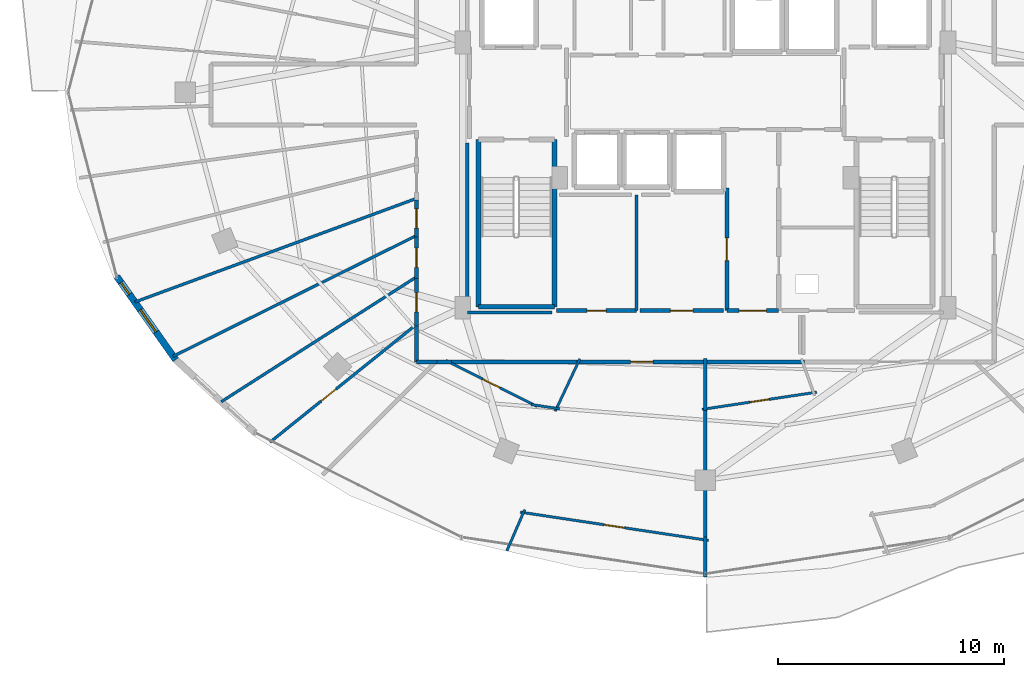
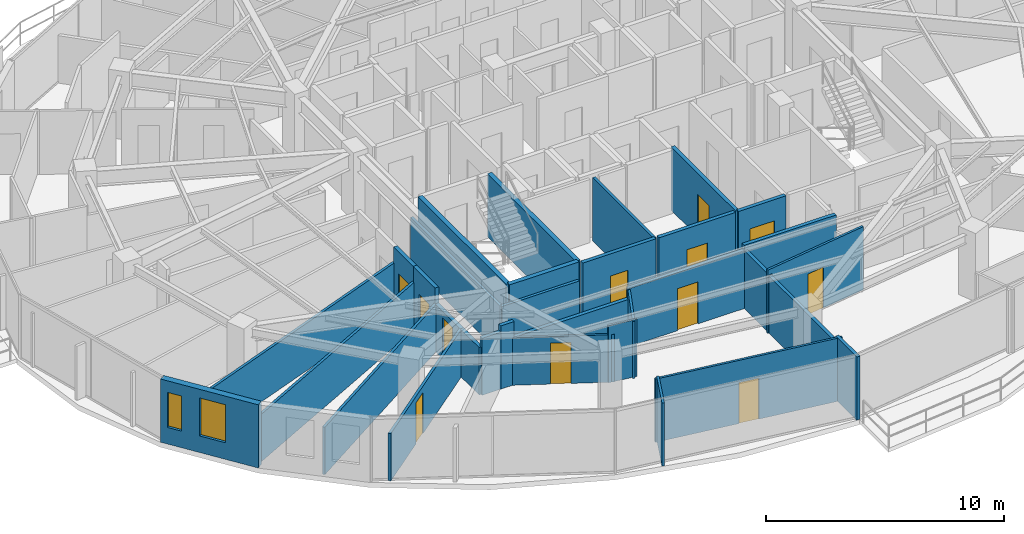
# One storey, part 24 of 33: 33 walls, 12 doors, 2 windows, 14 openings.
"""IFC4 building model written with IfcOpenShell, lengths in metres."""

from ifc_helpers import new_model, si_unit, direction, frame, frame_2d, origin, place, context, subcontext, project, spatial, rectangle, extrude, material, layer, layer_set, type_object, element, fill, save


model = new_model("IFC4")

# Units and contexts
model_context = context("Model", 3, precision=1e-05, world=origin(), true_north=direction((0.0, 1.0)))
body_context = subcontext(model_context, "Body", "Model", "MODEL_VIEW")
ifc_project = project(units=[si_unit("LENGTHUNIT", "METRE"), si_unit("AREAUNIT", "SQUARE_METRE"), si_unit("VOLUMEUNIT", "CUBIC_METRE"), si_unit("PLANEANGLEUNIT", "RADIAN"), si_unit("MASSUNIT", "GRAM", prefix="KILO")], contexts=[model_context])

# Site, building, storey
site_placement = place(None, origin())
site = spatial("IfcSite", under=ifc_project, at=site_placement, CompositionType="ELEMENT")
building_placement = place(site_placement, origin())
building = spatial("IfcBuilding", under=site, at=building_placement, Name="Vorneva Point Tower", CompositionType="ELEMENT")
storey_placement = place(building_placement, frame((0.0, 0.0, 189.60009765625)))
storey = spatial("IfcBuildingStorey", under=building, at=storey_placement, Name="L51", CompositionType="ELEMENT", Elevation=189.60009765625)

# Wall, openings, windows
ifc_material_1 = material(Name="Precast concrete B50 (C40/50)", Category="concrete")
ifc_layer_1 = layer(ifc_material_1, 0.300048828125)
ifc_layer_set_1 = layer_set([ifc_layer_1], Name="Precast concrete B50 (C40/50)")
wall_type_1 = type_object("IfcWallType", Name="WL-EXT-300", PredefinedType="STANDARD", material=ifc_layer_set_1)
wall_1_placement = place(storey_placement, frame((11.9189453125, 17.82958984375, 0.0), z_axis=(0.0, 0.0, 1.0), x_axis=(0.577168747264, -0.81662490605, 0.0)))
wall_1 = element("IfcWall", 1, at=wall_1_placement, inside=storey, type_object=wall_type_1, Name="L51 Pale-Metal Facade Spandrel Wall 10.1", PredefinedType="STANDARD", context=body_context, shape_type="SweptSolid", body=[
    extrude(rectangle(XDim=4.519775390625, YDim=0.300048828125, at=frame_2d((2.259765625, 0.0))), origin(), (0.0, 0.0, 1.0), 3.239990234375),
])
opening_1_placement = place(wall_1_placement, frame((0.319580078125, 0.0, 0.85009765625)))
opening_1 = element("IfcOpeningElement", 2, at=opening_1_placement, cuts=wall_1, Name="Opening W-09", PredefinedType="OPENING", context=body_context, shape_type="SweptSolid", body=[
    extrude(rectangle(XDim=0.64990234375, YDim=1.800048828125, at=frame_2d((0.324951171875, 0.89990234375))), frame((0.0, 0.1650390625, 0.0), z_axis=(0.0, -1.0, 0.0), x_axis=(1.0, 0.0, 0.0)), (0.0, 0.0, 1.0), 0.329833984375),
])
opening_2_placement = place(wall_1_placement, frame((1.80908203125, 0.0, 0.85009765625)))
opening_2 = element("IfcOpeningElement", 3, at=opening_2_placement, cuts=wall_1, Name="Opening W-04", PredefinedType="OPENING", context=body_context, shape_type="SweptSolid", body=[
    extrude(rectangle(XDim=1.199951171875, YDim=1.949951171875, at=frame_2d((0.60009765625, 0.97509765625))), frame((0.0, 0.1650390625, 0.0), z_axis=(0.0, -1.0, 0.0), x_axis=(1.0, 0.0, 0.0)), (0.0, 0.0, 1.0), 0.329833984375),
])
ifc_material_2 = material(Name="Double low-e laminated glass IGU", Category="glass")
window_type_1 = type_object("IfcWindowType", Name="WN-CAS-650", PartitioningType="SINGLE_PANEL", PredefinedType="WINDOW", material=ifc_material_2)
window_1_placement = place(opening_1_placement, origin())
window_1 = element("IfcWindow", 4, at=window_1_placement, inside=storey, type_object=window_type_1, Name="L51 Dwelling Vision Window 01", OverallHeight=1.800048828125, OverallWidth=0.64990234375, PartitioningType="SINGLE_PANEL", PredefinedType="WINDOW", context=body_context, shape_type="SweptSolid", body=[
    extrude(rectangle(XDim=0.64990234375, YDim=1.800048828125, at=frame_2d((0.324951171875, 0.89990234375))), frame((0.0, 0.030029296875, 0.0), z_axis=(0.0, -1.0, 0.0), x_axis=(1.0, 0.0, 0.0)), (0.0, 0.0, 1.0), 0.06005859375),
])
fill(opening_1, window_1)
window_type_2 = type_object("IfcWindowType", Name="WN-RES-1200", PartitioningType="SINGLE_PANEL", PredefinedType="WINDOW", material=ifc_material_2)
window_2_placement = place(opening_2_placement, origin())
window_2 = element("IfcWindow", 5, at=window_2_placement, inside=storey, type_object=window_type_2, Name="L51 Dwelling Vision Window 02", OverallHeight=1.949951171875, OverallWidth=1.199951171875, PartitioningType="SINGLE_PANEL", PredefinedType="WINDOW", context=body_context, shape_type="SweptSolid", body=[
    extrude(rectangle(XDim=1.199951171875, YDim=1.949951171875, at=frame_2d((0.60009765625, 0.97509765625))), frame((0.0, 0.030029296875, 0.0), z_axis=(0.0, -1.0, 0.0), x_axis=(1.0, 0.0, 0.0)), (0.0, 0.0, 1.0), 0.06005859375),
])
fill(opening_2, window_2)

# Walls
ifc_material_3 = material(Name="Fire-rated acoustic gypsum stud partition", Category="gypsum")
ifc_layer_2 = layer(ifc_material_3, 0.110107421875)
ifc_layer_set_2 = layer_set([ifc_layer_2], Name="Fire-rated acoustic gypsum stud partition")
wall_type_2 = type_object("IfcWallType", Name="WL-PART-110", PredefinedType="PARTITIONING", material=ifc_layer_set_2)
wall_2_placement = place(storey_placement, frame((32.4365234375, 14.1767578125, 0.0), z_axis=(0.0, 0.0, 1.0), x_axis=(-0.425948638984, -0.904747344261, 0.0)))
element("IfcWall", 6, at=wall_2_placement, inside=storey, type_object=wall_type_2, Name="L51 Interior Partition 116", PredefinedType="PARTITIONING", context=body_context, shape_type="SweptSolid", body=[
    extrude(rectangle(XDim=2.55908203125, YDim=0.110107421875, at=frame_2d((1.279541015625, 0.0))), origin(), (0.0, 0.0, 1.0), 2.921875),
])
wall_3_placement = place(storey_placement, frame((31.54443359375, 11.96728515625, 0.0), z_axis=(0.0, 0.0, 1.0), x_axis=(-0.988916897536, 0.148470097217, 0.0)))
element("IfcWall", 7, at=wall_3_placement, inside=storey, type_object=wall_type_2, Name="L51 Interior Partition 117", PredefinedType="PARTITIONING", context=body_context, shape_type="SweptSolid", body=[
    extrude(rectangle(XDim=1.289306640625, YDim=0.110107421875, at=frame_2d((0.64453125, 0.0))), origin(), (0.0, 0.0, 1.0), 2.921875),
])

# Wall, opening, door
wall_4_placement = place(storey_placement, frame((30.532958984375, 12.074951171875, 0.0), z_axis=(0.0, 0.0, 1.0), x_axis=(-0.892550333972, 0.450947781153, 0.0)))
wall_4 = element("IfcWall", 8, at=wall_4_placement, inside=storey, type_object=wall_type_2, Name="L51 Interior Partition 118", PredefinedType="PARTITIONING", context=body_context, shape_type="SweptSolid", body=[
    extrude(rectangle(XDim=4.51953125, YDim=0.110107421875, at=frame_2d((2.259765625, 0.0))), origin(), (0.0, 0.0, 1.0), 2.431884765625),
])
opening_3_placement = place(wall_4_placement, frame((1.834716796875, 0.0, 0.0)))
opening_3 = element("IfcOpeningElement", 9, at=opening_3_placement, cuts=wall_4, Name="Opening ID-02", PredefinedType="OPENING", context=body_context, shape_type="SweptSolid", body=[
    extrude(rectangle(XDim=0.85009765625, YDim=2.10009765625, at=frame_2d((0.425048828125, 1.050048828125))), frame((0.0, 0.06982421875, 0.0), z_axis=(0.0, -1.0, 0.0), x_axis=(1.0, 0.0, 0.0)), (0.0, 0.0, 1.0), 0.139892578125),
])
ifc_material_4 = material(Name="Engineered oak fire-rated door leaf", Category="wood")
door_type_1 = type_object("IfcDoorType", Name="DR-BATH-850", OperationType="NOTDEFINED", PredefinedType="DOOR", material=ifc_material_4)
door_1_placement = place(opening_3_placement, origin())
door_1 = element("IfcDoor", 10, at=door_1_placement, inside=storey, type_object=door_type_1, Name="L51 Door Studio Apartment L51-03 / Bathroom L51-03", OperationType="SINGLE_SWING_RIGHT", OverallHeight=2.10009765625, OverallWidth=0.85009765625, PredefinedType="DOOR", context=body_context, shape_type="SweptSolid", body=[
    extrude(rectangle(XDim=0.85009765625, YDim=2.10009765625, at=frame_2d((0.425048828125, 1.050048828125))), frame((0.0, 0.02490234375, 0.0), z_axis=(0.0, -1.0, 0.0), x_axis=(1.0, 0.0, 0.0)), (0.0, 0.0, 1.0), 0.050048828125),
])
fill(opening_3, door_1)

wall_5_placement = place(storey_placement, frame((29.799560546875, 7.389892578125, 0.0), z_axis=(0.0, 0.0, 1.0), x_axis=(0.988869998297, -0.148782144316, 0.0)))
wall_5 = element("IfcWall", 11, at=wall_5_placement, inside=storey, type_object=wall_type_2, Name="L51 Interior Partition 119", PredefinedType="PARTITIONING", context=body_context, shape_type="SweptSolid", body=[
    extrude(rectangle(XDim=8.4326171875, YDim=0.110107421875, at=frame_2d((4.21630859375, 0.0))), origin(), (0.0, 0.0, 1.0), 3.239990234375),
])
opening_4_placement = place(wall_5_placement, frame((3.766357421875, 0.0, 0.0)))
opening_4 = element("IfcOpeningElement", 12, at=opening_4_placement, cuts=wall_5, Name="Opening ID-01", PredefinedType="OPENING", context=body_context, shape_type="SweptSolid", body=[
    extrude(rectangle(XDim=0.89990234375, YDim=2.10009765625, at=frame_2d((0.449951171875, 1.050048828125))), frame((0.0, 0.06982421875, 0.0), z_axis=(0.0, -1.0, 0.0), x_axis=(1.0, 0.0, 0.0)), (0.0, 0.0, 1.0), 0.139892578125),
])
door_type_2 = type_object("IfcDoorType", Name="DR-ROOM-900", OperationType="NOTDEFINED", PredefinedType="DOOR", material=ifc_material_4)
door_2_placement = place(opening_4_placement, origin())
door_2 = element("IfcDoor", 13, at=door_2_placement, inside=storey, type_object=door_type_2, Name="L51 Door Studio Apartment L51-03 / Kitchen L51-03", OperationType="SINGLE_SWING_LEFT", OverallHeight=2.10009765625, OverallWidth=0.89990234375, PredefinedType="DOOR", context=body_context, shape_type="SweptSolid", body=[
    extrude(rectangle(XDim=0.89990234375, YDim=2.10009765625, at=frame_2d((0.449951171875, 1.050048828125))), frame((0.0, 0.02490234375, 0.0), z_axis=(0.0, -1.0, 0.0), x_axis=(1.0, 0.0, 0.0)), (0.0, 0.0, 1.0), 0.050048828125),
])
fill(opening_4, door_2)

# Wall
wall_6_placement = place(storey_placement, frame((29.204345703125, 5.674560546875, 0.0), z_axis=(0.0, 0.0, 1.0), x_axis=(0.397328054141, 0.917676640976, 0.0)))
element("IfcWall", 14, at=wall_6_placement, inside=storey, type_object=wall_type_2, Name="L51 Interior Partition 120", PredefinedType="PARTITIONING", context=body_context, shape_type="SweptSolid", body=[
    extrude(rectangle(XDim=1.986572265625, YDim=0.110107421875, at=frame_2d((0.9931640625, 0.0))), origin(), (0.0, 0.0, 1.0), 3.239990234375),
])

# Wall, opening, door
wall_7_placement = place(storey_placement, frame((42.932373046875, 12.705810546875, 0.0), z_axis=(0.0, 0.0, 1.0), x_axis=(-0.988876905643, -0.148736227888, 0.0)))
wall_7 = element("IfcWall", 15, at=wall_7_placement, inside=storey, type_object=wall_type_2, Name="L51 Interior Partition 125", PredefinedType="PARTITIONING", context=body_context, shape_type="SweptSolid", body=[
    extrude(rectangle(XDim=5.1279296875, YDim=0.110107421875, at=frame_2d((2.56396484375, 0.0))), origin(), (0.0, 0.0, 1.0), 3.239990234375),
])
opening_5_placement = place(wall_7_placement, frame((2.138916015625, 0.0, 0.0)))
opening_5 = element("IfcOpeningElement", 16, at=opening_5_placement, cuts=wall_7, Name="Opening ID-02", PredefinedType="OPENING", context=body_context, shape_type="SweptSolid", body=[
    extrude(rectangle(XDim=0.85009765625, YDim=2.10009765625, at=frame_2d((0.425048828125, 1.050048828125))), frame((0.0, 0.06982421875, 0.0), z_axis=(0.0, -1.0, 0.0), x_axis=(1.0, 0.0, 0.0)), (0.0, 0.0, 1.0), 0.139892578125),
])
door_3_placement = place(opening_5_placement, origin())
door_3 = element("IfcDoor", 17, at=door_3_placement, inside=storey, type_object=door_type_1, Name="L51 Door Studio Apartment L51-04 / Bathroom L51-04", OperationType="SINGLE_SWING_RIGHT", OverallHeight=2.10009765625, OverallWidth=0.85009765625, PredefinedType="DOOR", context=body_context, shape_type="SweptSolid", body=[
    extrude(rectangle(XDim=0.85009765625, YDim=2.10009765625, at=frame_2d((0.425048828125, 1.050048828125))), frame((0.0, 0.02490234375, 0.0), z_axis=(0.0, -1.0, 0.0), x_axis=(1.0, 0.0, 0.0)), (0.0, 0.0, 1.0), 0.050048828125),
])
fill(opening_5, door_3)

# Walls
ifc_layer_3 = layer(ifc_material_3, 0.125)
ifc_layer_set_3 = layer_set([ifc_layer_3], Name="Fire-rated acoustic gypsum stud partition")
wall_type_3 = type_object("IfcWallType", Name="WL-PART-125", PredefinedType="PARTITIONING", material=ifc_layer_set_3)
wall_8_placement = place(storey_placement, frame((34.949951171875, 16.320068359375, 0.0), z_axis=(0.0, 0.0, 1.0), x_axis=(0.0, 1.0, 0.0)))
element("IfcWall", 18, at=wall_8_placement, inside=storey, type_object=wall_type_3, Name="L51 Interior Partition 031", PredefinedType="PARTITIONING", context=body_context, shape_type="SweptSolid", body=[
    extrude(rectangle(XDim=5.1298828125, YDim=0.125, at=frame_2d((2.56494140625, 0.0))), origin(), (0.0, 0.0, 1.0), 3.239990234375),
])
wall_9_placement = place(storey_placement, frame((12.720947265625, 16.698974609375, 0.0), z_axis=(0.0, 0.0, 1.0), x_axis=(0.938476898763, 0.34534201958, 0.0)))
element("IfcWall", 19, at=wall_9_placement, inside=storey, type_object=wall_type_3, Name="L51 Interior Partition 111", PredefinedType="PARTITIONING", context=body_context, shape_type="SweptSolid", body=[
    extrude(rectangle(XDim=13.297119140625, YDim=0.125, at=frame_2d((6.6484375, 0.0))), origin(), (0.0, 0.0, 1.0), 2.431884765625),
])
wall_10_placement = place(storey_placement, frame((14.41796875, 14.2939453125, 0.0), z_axis=(0.0, 0.0, 1.0), x_axis=(0.895717443483, 0.444623730182, 0.0)))
element("IfcWall", 20, at=wall_10_placement, inside=storey, type_object=wall_type_3, Name="L51 Interior Partition 112", PredefinedType="PARTITIONING", context=body_context, shape_type="SweptSolid", body=[
    extrude(rectangle(XDim=12.037353515625, YDim=0.125, at=frame_2d((6.0185546875, 0.0))), origin(), (0.0, 0.0, 1.0), 2.431884765625),
])
wall_11_placement = place(storey_placement, frame((16.547119140625, 12.280029296875, 0.0), z_axis=(0.0, 0.0, 1.0), x_axis=(0.842442736758, 0.53878589002, 0.0)))
element("IfcWall", 21, at=wall_11_placement, inside=storey, type_object=wall_type_3, Name="L51 Interior Partition 113", PredefinedType="PARTITIONING", context=body_context, shape_type="SweptSolid", body=[
    extrude(rectangle(XDim=10.271240234375, YDim=0.125, at=frame_2d((5.1357421875, 0.0))), origin(), (0.0, 0.0, 1.0), 2.431884765625),
])

# Wall, opening, door
wall_12_placement = place(storey_placement, frame((18.7099609375, 10.489990234375, 0.0), z_axis=(0.0, 0.0, 1.0), x_axis=(0.779284718529, 0.626670030771, 0.0)))
wall_12 = element("IfcWall", 22, at=wall_12_placement, inside=storey, type_object=wall_type_3, Name="L51 Interior Partition 114", PredefinedType="PARTITIONING", context=body_context, shape_type="SweptSolid", body=[
    extrude(rectangle(XDim=8.328125, YDim=0.125, at=frame_2d((4.1640625, 0.0))), origin(), (0.0, 0.0, 1.0), 2.431884765625),
])
opening_6_placement = place(wall_12_placement, frame((2.899169921875, 0.0, 0.0)))
opening_6 = element("IfcOpeningElement", 23, at=opening_6_placement, cuts=wall_12, Name="Opening ID-02", PredefinedType="OPENING", context=body_context, shape_type="SweptSolid", body=[
    extrude(rectangle(XDim=0.85009765625, YDim=2.10009765625, at=frame_2d((0.425048828125, 1.050048828125))), frame((0.0, 0.077392578125, 0.0), z_axis=(0.0, -1.0, 0.0), x_axis=(1.0, 0.0, 0.0)), (0.0, 0.0, 1.0), 0.15478515625),
])
door_4_placement = place(opening_6_placement, origin())
door_4 = element("IfcDoor", 24, at=door_4_placement, inside=storey, type_object=door_type_1, Name="L51 Access Door Bedroom L51-02.8", OperationType="SINGLE_SWING_LEFT", OverallHeight=2.10009765625, OverallWidth=0.85009765625, PredefinedType="DOOR", context=body_context, shape_type="SweptSolid", body=[
    extrude(rectangle(XDim=0.85009765625, YDim=2.10009765625, at=frame_2d((0.425048828125, 1.050048828125))), frame((0.0, 0.02490234375, 0.0), z_axis=(0.0, -1.0, 0.0), x_axis=(1.0, 0.0, 0.0)), (0.0, 0.0, 1.0), 0.050048828125),
])
fill(opening_6, door_4)

# Walls
ifc_layer_4 = layer(ifc_material_3, 0.139892578125)
ifc_layer_set_4 = layer_set([ifc_layer_4], Name="Fire-rated acoustic gypsum stud partition")
wall_type_4 = type_object("IfcWallType", Name="WL-PART-140", PredefinedType="PARTITIONING", material=ifc_layer_set_4)
wall_13_placement = place(storey_placement, frame((27.449951171875, 23.75390625, 0.0), z_axis=(0.0, 0.0, 1.0), x_axis=(0.0, -1.0, 0.0)))
element("IfcWall", 25, at=wall_13_placement, inside=storey, type_object=wall_type_4, Name="L51 Interior Closure Partition 148", PredefinedType="PARTITIONING", context=body_context, shape_type="SweptSolid", body=[
    extrude(rectangle(XDim=7.513916015625, YDim=0.139892578125, at=frame_2d((3.7568359375, 0.0))), origin(), (0.0, 0.0, 1.0), 2.431884765625),
])
wall_14_placement = place(storey_placement, frame((27.449951171875, 16.239990234375, 0.0), z_axis=(0.0, 0.0, 1.0), x_axis=(1.0, 0.0, 0.0)))
element("IfcWall", 26, at=wall_14_placement, inside=storey, type_object=wall_type_4, Name="L51 Interior Closure Partition 149", PredefinedType="PARTITIONING", context=body_context, shape_type="SweptSolid", body=[
    extrude(rectangle(XDim=3.7451171875, YDim=0.139892578125, at=frame_2d((1.87255859375, 0.0))), origin(), (0.0, 0.0, 1.0), 2.431884765625),
])
ifc_layer_5 = layer(ifc_material_3, 0.159912109375)
ifc_layer_set_5 = layer_set([ifc_layer_5], Name="Fire-rated acoustic gypsum stud partition")
wall_type_5 = type_object("IfcWallType", Name="WL-PART-160", PredefinedType="PARTITIONING", material=ifc_layer_set_5)
wall_15_placement = place(storey_placement, frame((38.0, 6.156005859375, 0.0), z_axis=(0.0, 0.0, 1.0), x_axis=(0.0, 1.0, 0.0)))
element("IfcWall", 27, at=wall_15_placement, inside=storey, type_object=wall_type_5, Name="L51 Interior Partition 121", PredefinedType="PARTITIONING", context=body_context, shape_type="SweptSolid", body=[
    extrude(rectangle(XDim=5.868896484375, YDim=0.159912109375, at=frame_2d((2.9345703125, 0.0))), origin(), (0.0, 0.0, 1.0), 2.921875),
])
wall_16_placement = place(storey_placement, frame((38.0, 11.885009765625, 0.0), z_axis=(0.0, 0.0, 1.0), x_axis=(0.0, 1.0, 0.0)))
element("IfcWall", 28, at=wall_16_placement, inside=storey, type_object=wall_type_5, Name="L51 Interior Partition 122", PredefinedType="PARTITIONING", context=body_context, shape_type="SweptSolid", body=[
    extrude(rectangle(XDim=2.304931640625, YDim=0.159912109375, at=frame_2d((1.15234375, 0.0))), origin(), (0.0, 0.0, 1.0), 2.971923828125),
])
wall_17_placement = place(storey_placement, frame((38.0, 4.510009765625, 0.0), z_axis=(0.0, 0.0, 1.0), x_axis=(0.0, 1.0, 0.0)))
element("IfcWall", 29, at=wall_17_placement, inside=storey, type_object=wall_type_5, Name="L51 Interior Partition 123", PredefinedType="PARTITIONING", context=body_context, shape_type="SweptSolid", body=[
    extrude(rectangle(XDim=1.785888671875, YDim=0.159912109375, at=frame_2d((0.89306640625, 0.0))), origin(), (0.0, 0.0, 1.0), 3.239990234375),
])

# Wall, opening, door
ifc_material_5 = material(Name="Autoclaved aerated concrete blockwork", Category="masonry")
ifc_layer_6 = layer(ifc_material_5, 0.179931640625)
ifc_layer_set_6 = layer_set([ifc_layer_6], Name="Autoclaved aerated concrete blockwork")
wall_type_6 = type_object("IfcWallType", Name="WL-PART-180", PredefinedType="PARTITIONING", material=ifc_layer_set_6)
wall_18_placement = place(storey_placement, frame((38.949951171875, 21.7548828125, 0.0), z_axis=(0.0, 0.0, 1.0), x_axis=(0.0, -1.0, 0.0)))
wall_18 = element("IfcWall", 30, at=wall_18_placement, inside=storey, type_object=wall_type_6, Name="L51 Interior Partition 016", PredefinedType="PARTITIONING", context=body_context, shape_type="SweptSolid", body=[
    extrude(rectangle(XDim=5.434814453125, YDim=0.179931640625, at=frame_2d((2.71728515625, 0.0))), origin(), (0.0, 0.0, 1.0), 3.239990234375),
])
opening_7_placement = place(wall_18_placement, frame((2.217529296875, 0.0, 0.0)))
opening_7 = element("IfcOpeningElement", 31, at=opening_7_placement, cuts=wall_18, Name="Opening UD-01", PredefinedType="OPENING", context=body_context, shape_type="SweptSolid", body=[
    extrude(rectangle(XDim=1.0, YDim=2.14990234375, at=frame_2d((0.5, 1.074951171875))), frame((0.0, 0.10498046875, 0.0), z_axis=(0.0, -1.0, 0.0), x_axis=(1.0, 0.0, 0.0)), (0.0, 0.0, 1.0), 0.209716796875),
])
door_type_3 = type_object("IfcDoorType", Name="DR-UNIT-1000", OperationType="NOTDEFINED", PredefinedType="DOOR", material=ifc_material_4)
door_5_placement = place(opening_7_placement, origin())
door_5 = element("IfcDoor", 32, at=door_5_placement, inside=storey, type_object=door_type_3, Name="L51 Door Core Service Lobby / Staff Service Pantry", OperationType="SINGLE_SWING_LEFT", OverallHeight=2.14990234375, OverallWidth=1.0, PredefinedType="DOOR", context=body_context, shape_type="SweptSolid", body=[
    extrude(rectangle(XDim=1.0, YDim=2.14990234375, at=frame_2d((0.5, 1.074951171875))), frame((0.0, 0.02490234375, 0.0), z_axis=(0.0, -1.0, 0.0), x_axis=(1.0, 0.0, 0.0)), (0.0, 0.0, 1.0), 0.050048828125),
])
fill(opening_7, door_5)

wall_19_placement = place(storey_placement, frame((38.949951171875, 16.320068359375, 0.0), z_axis=(0.0, 0.0, 1.0), x_axis=(1.0, 0.0, 0.0)))
wall_19 = element("IfcWall", 33, at=wall_19_placement, inside=storey, type_object=wall_type_6, Name="L51 Interior Partition 017", PredefinedType="PARTITIONING", context=body_context, shape_type="SweptSolid", body=[
    extrude(rectangle(XDim=2.300048828125, YDim=0.179931640625, at=frame_2d((1.14990234375, 0.0))), origin(), (0.0, 0.0, 1.0), 3.239990234375),
])
opening_8_placement = place(wall_19_placement, frame((0.550048828125, 0.0, 0.0)))
opening_8 = element("IfcOpeningElement", 34, at=opening_8_placement, cuts=wall_19, Name="Opening FD-02", PredefinedType="OPENING", context=body_context, shape_type="SweptSolid", body=[
    extrude(rectangle(XDim=1.199951171875, YDim=2.14990234375, at=frame_2d((0.60009765625, 1.074951171875))), frame((0.0, 0.10498046875, 0.0), z_axis=(0.0, -1.0, 0.0), x_axis=(1.0, 0.0, 0.0)), (0.0, 0.0, 1.0), 0.209716796875),
])
ifc_material_6 = material(Name="Fire-rated powder-coated steel", Category="steel")
door_type_4 = type_object("IfcDoorType", Name="DR-FFL-1200", OperationType="NOTDEFINED", PredefinedType="DOOR", material=ifc_material_6)
door_6_placement = place(opening_8_placement, origin())
door_6 = element("IfcDoor", 35, at=door_6_placement, inside=storey, type_object=door_type_4, Name="L51 Door Core Service Lobby / L51 Circulation Corridor", OperationType="SINGLE_SWING_RIGHT", OverallHeight=2.14990234375, OverallWidth=1.199951171875, PredefinedType="DOOR", context=body_context, shape_type="SweptSolid", body=[
    extrude(rectangle(XDim=1.199951171875, YDim=2.14990234375, at=frame_2d((0.60009765625, 1.074951171875))), frame((0.0, 0.02490234375, 0.0), z_axis=(0.0, -1.0, 0.0), x_axis=(1.0, 0.0, 0.0)), (0.0, 0.0, 1.0), 0.050048828125),
])
fill(opening_8, door_6)

wall_20_placement = place(storey_placement, frame((31.39990234375, 16.320068359375, 0.0), z_axis=(0.0, 0.0, 1.0), x_axis=(1.0, 0.0, 0.0)))
wall_20 = element("IfcWall", 36, at=wall_20_placement, inside=storey, type_object=wall_type_6, Name="L51 Interior Partition 032", PredefinedType="PARTITIONING", context=body_context, shape_type="SweptSolid", body=[
    extrude(rectangle(XDim=3.550048828125, YDim=0.179931640625, at=frame_2d((1.77490234375, 0.0))), origin(), (0.0, 0.0, 1.0), 3.239990234375),
])
opening_9_placement = place(wall_20_placement, frame((1.35009765625, 0.0, 0.0)))
opening_9 = element("IfcOpeningElement", 37, at=opening_9_placement, cuts=wall_20, Name="Opening ID-02", PredefinedType="OPENING", context=body_context, shape_type="SweptSolid", body=[
    extrude(rectangle(XDim=0.85009765625, YDim=2.10009765625, at=frame_2d((0.425048828125, 1.050048828125))), frame((0.0, 0.10498046875, 0.0), z_axis=(0.0, -1.0, 0.0), x_axis=(1.0, 0.0, 0.0)), (0.0, 0.0, 1.0), 0.209716796875),
])
door_7_placement = place(opening_9_placement, origin())
door_7 = element("IfcDoor", 38, at=door_7_placement, inside=storey, type_object=door_type_1, Name="L51 Door Luggage Store / L51 Circulation Corridor", OperationType="SINGLE_SWING_RIGHT", OverallHeight=2.10009765625, OverallWidth=0.85009765625, PredefinedType="DOOR", context=body_context, shape_type="SweptSolid", body=[
    extrude(rectangle(XDim=0.85009765625, YDim=2.10009765625, at=frame_2d((0.425048828125, 1.050048828125))), frame((0.0, 0.02490234375, 0.0), z_axis=(0.0, -1.0, 0.0), x_axis=(1.0, 0.0, 0.0)), (0.0, 0.0, 1.0), 0.050048828125),
])
fill(opening_9, door_7)

wall_21_placement = place(storey_placement, frame((35.10009765625, 16.320068359375, 0.0), z_axis=(0.0, 0.0, 1.0), x_axis=(1.0, 0.0, 0.0)))
wall_21 = element("IfcWall", 39, at=wall_21_placement, inside=storey, type_object=wall_type_6, Name="L51 Interior Partition 033", PredefinedType="PARTITIONING", context=body_context, shape_type="SweptSolid", body=[
    extrude(rectangle(XDim=3.699951171875, YDim=0.179931640625, at=frame_2d((1.85009765625, 0.0))), origin(), (0.0, 0.0, 1.0), 3.239990234375),
])
opening_10_placement = place(wall_21_placement, frame((1.35009765625, 0.0, 0.0)))
opening_10 = element("IfcOpeningElement", 40, at=opening_10_placement, cuts=wall_21, Name="Opening UD-01", PredefinedType="OPENING", context=body_context, shape_type="SweptSolid", body=[
    extrude(rectangle(XDim=1.0, YDim=2.14990234375, at=frame_2d((0.5, 1.074951171875))), frame((0.0, 0.10498046875, 0.0), z_axis=(0.0, -1.0, 0.0), x_axis=(1.0, 0.0, 0.0)), (0.0, 0.0, 1.0), 0.209716796875),
])
door_8_placement = place(opening_10_placement, origin())
door_8 = element("IfcDoor", 41, at=door_8_placement, inside=storey, type_object=door_type_3, Name="L51 Door Staff Service Pantry / L51 Circulation Corridor", OperationType="SINGLE_SWING_LEFT", OverallHeight=2.14990234375, OverallWidth=1.0, PredefinedType="DOOR", context=body_context, shape_type="SweptSolid", body=[
    extrude(rectangle(XDim=1.0, YDim=2.14990234375, at=frame_2d((0.5, 1.074951171875))), frame((0.0, 0.02490234375, 0.0), z_axis=(0.0, -1.0, 0.0), x_axis=(1.0, 0.0, 0.0)), (0.0, 0.0, 1.0), 0.050048828125),
])
fill(opening_10, door_8)

wall_22_placement = place(storey_placement, frame((25.199951171875, 21.22705078125, 0.0), z_axis=(0.0, 0.0, 1.0), x_axis=(0.0, -1.0, 0.0)))
wall_22 = element("IfcWall", 42, at=wall_22_placement, inside=storey, type_object=wall_type_6, Name="L51 Interior Partition 054", PredefinedType="PARTITIONING", context=body_context, shape_type="SweptSolid", body=[
    extrude(rectangle(XDim=1.64794921875, YDim=0.179931640625, at=frame_2d((0.823974609375, 0.0))), origin(), (0.0, 0.0, 1.0), 3.239990234375),
])
opening_11_placement = place(wall_22_placement, frame((0.39892578125, 0.0, 0.0)))
opening_11 = element("IfcOpeningElement", 43, at=opening_11_placement, cuts=wall_22, Name="Opening ID-02", PredefinedType="OPENING", context=body_context, shape_type="SweptSolid", body=[
    extrude(rectangle(XDim=0.85009765625, YDim=2.10009765625, at=frame_2d((0.425048828125, 1.050048828125))), frame((0.0, 0.10498046875, 0.0), z_axis=(0.0, -1.0, 0.0), x_axis=(1.0, 0.0, 0.0)), (0.0, 0.0, 1.0), 0.209716796875),
])
door_9_placement = place(opening_11_placement, origin())
door_9 = element("IfcDoor", 44, at=door_9_placement, inside=storey, type_object=door_type_1, Name="L51 Access Door L51 Circulation Corridor", OperationType="SINGLE_SWING_LEFT", OverallHeight=2.10009765625, OverallWidth=0.85009765625, PredefinedType="DOOR", context=body_context, shape_type="SweptSolid", body=[
    extrude(rectangle(XDim=0.85009765625, YDim=2.10009765625, at=frame_2d((0.425048828125, 1.050048828125))), frame((0.0, 0.02490234375, 0.0), z_axis=(0.0, -1.0, 0.0), x_axis=(1.0, 0.0, 0.0)), (0.0, 0.0, 1.0), 0.050048828125),
])
fill(opening_11, door_9)

wall_23_placement = place(storey_placement, frame((25.199951171875, 19.5791015625, 0.0), z_axis=(0.0, 0.0, 1.0), x_axis=(0.0, -1.0, 0.0)))
wall_23 = element("IfcWall", 45, at=wall_23_placement, inside=storey, type_object=wall_type_6, Name="L51 Interior Partition 055", PredefinedType="PARTITIONING", context=body_context, shape_type="SweptSolid", body=[
    extrude(rectangle(XDim=1.836181640625, YDim=0.179931640625, at=frame_2d((0.91796875, 0.0))), origin(), (0.0, 0.0, 1.0), 3.239990234375),
])
opening_12_placement = place(wall_23_placement, frame((0.492919921875, 0.0, 0.0)))
opening_12 = element("IfcOpeningElement", 46, at=opening_12_placement, cuts=wall_23, Name="Opening ID-02", PredefinedType="OPENING", context=body_context, shape_type="SweptSolid", body=[
    extrude(rectangle(XDim=0.85009765625, YDim=2.10009765625, at=frame_2d((0.425048828125, 1.050048828125))), frame((0.0, 0.10498046875, 0.0), z_axis=(0.0, -1.0, 0.0), x_axis=(1.0, 0.0, 0.0)), (0.0, 0.0, 1.0), 0.209716796875),
])
door_10_placement = place(opening_12_placement, origin())
door_10 = element("IfcDoor", 47, at=door_10_placement, inside=storey, type_object=door_type_1, Name="L51 Access Door L51 Circulation Corridor", OperationType="SINGLE_SWING_RIGHT", OverallHeight=2.10009765625, OverallWidth=0.85009765625, PredefinedType="DOOR", context=body_context, shape_type="SweptSolid", body=[
    extrude(rectangle(XDim=0.85009765625, YDim=2.10009765625, at=frame_2d((0.425048828125, 1.050048828125))), frame((0.0, 0.02490234375, 0.0), z_axis=(0.0, -1.0, 0.0), x_axis=(1.0, 0.0, 0.0)), (0.0, 0.0, 1.0), 0.050048828125),
])
fill(opening_12, door_10)

wall_24_placement = place(storey_placement, frame((25.199951171875, 17.742919921875, 0.0), z_axis=(0.0, 0.0, 1.0), x_axis=(0.0, -1.0, 0.0)))
wall_24 = element("IfcWall", 48, at=wall_24_placement, inside=storey, type_object=wall_type_6, Name="L51 Interior Partition 056", PredefinedType="PARTITIONING", context=body_context, shape_type="SweptSolid", body=[
    extrude(rectangle(XDim=2.11083984375, YDim=0.179931640625, at=frame_2d((1.055419921875, 0.0))), origin(), (0.0, 0.0, 1.0), 2.431884765625),
])
opening_13_placement = place(wall_24_placement, frame((0.630615234375, 0.0, 0.0)))
opening_13 = element("IfcOpeningElement", 49, at=opening_13_placement, cuts=wall_24, Name="Opening ID-02", PredefinedType="OPENING", context=body_context, shape_type="SweptSolid", body=[
    extrude(rectangle(XDim=0.85009765625, YDim=2.10009765625, at=frame_2d((0.425048828125, 1.050048828125))), frame((0.0, 0.10498046875, 0.0), z_axis=(0.0, -1.0, 0.0), x_axis=(1.0, 0.0, 0.0)), (0.0, 0.0, 1.0), 0.209716796875),
])
door_11_placement = place(opening_13_placement, origin())
door_11 = element("IfcDoor", 50, at=door_11_placement, inside=storey, type_object=door_type_1, Name="L51 Access Door L51 Circulation Corridor", OperationType="SINGLE_SWING_LEFT", OverallHeight=2.10009765625, OverallWidth=0.85009765625, PredefinedType="DOOR", context=body_context, shape_type="SweptSolid", body=[
    extrude(rectangle(XDim=0.85009765625, YDim=2.10009765625, at=frame_2d((0.425048828125, 1.050048828125))), frame((0.0, 0.02490234375, 0.0), z_axis=(0.0, -1.0, 0.0), x_axis=(1.0, 0.0, 0.0)), (0.0, 0.0, 1.0), 0.050048828125),
])
fill(opening_13, door_11)

# Walls
wall_25_placement = place(storey_placement, frame((25.199951171875, 15.632080078125, 0.0), z_axis=(0.0, 0.0, 1.0), x_axis=(0.0, -1.0, 0.0)))
element("IfcWall", 51, at=wall_25_placement, inside=storey, type_object=wall_type_6, Name="L51 Interior Partition 057", PredefinedType="PARTITIONING", context=body_context, shape_type="SweptSolid", body=[
    extrude(rectangle(XDim=1.58203125, YDim=0.179931640625, at=frame_2d((0.791015625, 0.0))), origin(), (0.0, 0.0, 1.0), 2.431884765625),
])
wall_26_placement = place(storey_placement, frame((25.199951171875, 14.050048828125, 0.0), z_axis=(0.0, 0.0, 1.0), x_axis=(1.0, 0.0, 0.0)))
element("IfcWall", 52, at=wall_26_placement, inside=storey, type_object=wall_type_6, Name="L51 Interior Partition 058", PredefinedType="PARTITIONING", context=body_context, shape_type="SweptSolid", body=[
    extrude(rectangle(XDim=0.91015625, YDim=0.179931640625, at=frame_2d((0.455078125, 0.0))), origin(), (0.0, 0.0, 1.0), 2.921875),
])
wall_27_placement = place(storey_placement, frame((26.110107421875, 14.050048828125, 0.0), z_axis=(0.0, 0.0, 1.0), x_axis=(1.0, 0.0, 0.0)))
element("IfcWall", 53, at=wall_27_placement, inside=storey, type_object=wall_type_6, Name="L51 Interior Partition 059", PredefinedType="PARTITIONING", context=body_context, shape_type="SweptSolid", body=[
    extrude(rectangle(XDim=0.64697265625, YDim=0.179931640625, at=frame_2d((0.323486328125, 0.0))), origin(), (0.0, 0.0, 1.0), 3.239990234375),
])

# Wall, opening, door
wall_28_placement = place(storey_placement, frame((32.31103515625, 14.050048828125, 0.0), z_axis=(0.0, 0.0, 1.0), x_axis=(1.0, 0.0, 0.0)))
wall_28 = element("IfcWall", 54, at=wall_28_placement, inside=storey, type_object=wall_type_6, Name="L51 Interior Partition 060", PredefinedType="PARTITIONING", context=body_context, shape_type="SweptSolid", body=[
    extrude(rectangle(XDim=5.7490234375, YDim=0.179931640625, at=frame_2d((2.87451171875, 0.0))), origin(), (0.0, 0.0, 1.0), 2.971923828125),
])
opening_14_placement = place(wall_28_placement, frame((2.37451171875, 0.0, 0.0)))
opening_14 = element("IfcOpeningElement", 55, at=opening_14_placement, cuts=wall_28, Name="Opening UD-01", PredefinedType="OPENING", context=body_context, shape_type="SweptSolid", body=[
    extrude(rectangle(XDim=1.0, YDim=2.14990234375, at=frame_2d((0.5, 1.074951171875))), frame((0.0, 0.10498046875, 0.0), z_axis=(0.0, -1.0, 0.0), x_axis=(1.0, 0.0, 0.0)), (0.0, 0.0, 1.0), 0.209716796875),
])
door_12_placement = place(opening_14_placement, origin())
door_12 = element("IfcDoor", 56, at=door_12_placement, inside=storey, type_object=door_type_3, Name="L51 Door L51 Circulation Corridor / Studio Apartment L51-03", OperationType="SINGLE_SWING_RIGHT", OverallHeight=2.14990234375, OverallWidth=1.0, PredefinedType="DOOR", context=body_context, shape_type="SweptSolid", body=[
    extrude(rectangle(XDim=1.0, YDim=2.14990234375, at=frame_2d((0.5, 1.074951171875))), frame((0.0, 0.02490234375, 0.0), z_axis=(0.0, -1.0, 0.0), x_axis=(1.0, 0.0, 0.0)), (0.0, 0.0, 1.0), 0.050048828125),
])
fill(opening_14, door_12)

# Walls
wall_29_placement = place(storey_placement, frame((26.616943359375, 14.050048828125, 0.0), z_axis=(0.0, 0.0, 1.0), x_axis=(1.0, 0.0, 0.0)))
element("IfcWall", 57, at=wall_29_placement, inside=storey, type_object=wall_type_6, Name="L51 Interior Partition 061", PredefinedType="PARTITIONING", context=body_context, shape_type="SweptSolid", body=[
    extrude(rectangle(XDim=5.833984375, YDim=0.179931640625, at=frame_2d((2.9169921875, 0.0))), origin(), (0.0, 0.0, 1.0), 2.431884765625),
])
wall_30_placement = place(storey_placement, frame((37.919921875, 14.050048828125, 0.0), z_axis=(0.0, 0.0, 1.0), x_axis=(1.0, 0.0, 0.0)))
element("IfcWall", 58, at=wall_30_placement, inside=storey, type_object=wall_type_6, Name="L51 Interior Partition 063", PredefinedType="PARTITIONING", context=body_context, shape_type="SweptSolid", body=[
    extrude(rectangle(XDim=4.462158203125, YDim=0.179931640625, at=frame_2d((2.23095703125, 0.0))), origin(), (0.0, 0.0, 1.0), 3.239990234375),
])
ifc_material_7 = material(Name="Concrete B50 (C40/50)", Category="concrete")
ifc_layer_7 = layer(ifc_material_7, 0.219970703125)
ifc_layer_set_7 = layer_set([ifc_layer_7], Name="Concrete B50 (C40/50)")
wall_type_7 = type_object("IfcWallType", Name="WL-SHFT-220", PredefinedType="SOLIDWALL", material=ifc_layer_set_7)
wall_31_placement = place(storey_placement, frame((31.31005859375, 23.909912109375, 0.0), z_axis=(0.0, 0.0, 1.0), x_axis=(0.0, -1.0, 0.0)))
element("IfcWall", 59, at=wall_31_placement, inside=storey, type_object=wall_type_7, Name="L51 Exit Stair ST1 Shaft Wall right", PredefinedType="SOLIDWALL", context=body_context, shape_type="SweptSolid", body=[
    extrude(rectangle(XDim=7.419921875, YDim=0.219970703125, at=frame_2d((3.7099609375, 0.0))), origin(), (0.0, 0.0, 1.0), 3.239990234375),
])
wall_32_placement = place(storey_placement, frame((31.31005859375, 16.489990234375, 0.0), z_axis=(0.0, 0.0, 1.0), x_axis=(-1.0, 0.0, 0.0)))
element("IfcWall", 60, at=wall_32_placement, inside=storey, type_object=wall_type_7, Name="L51 Exit Stair ST1 Shaft Wall far", PredefinedType="SOLIDWALL", context=body_context, shape_type="SweptSolid", body=[
    extrude(rectangle(XDim=3.3701171875, YDim=0.219970703125, at=frame_2d((1.68505859375, 0.0))), origin(), (0.0, 0.0, 1.0), 3.239990234375),
])
wall_33_placement = place(storey_placement, frame((27.93994140625, 16.489990234375, 0.0), z_axis=(0.0, 0.0, 1.0), x_axis=(0.0, 1.0, 0.0)))
element("IfcWall", 61, at=wall_33_placement, inside=storey, type_object=wall_type_7, Name="L51 Exit Stair ST1 Shaft Wall left", PredefinedType="SOLIDWALL", context=body_context, shape_type="SweptSolid", body=[
    extrude(rectangle(XDim=7.419921875, YDim=0.219970703125, at=frame_2d((3.7099609375, 0.0))), origin(), (0.0, 0.0, 1.0), 3.239990234375),
])

save(model, "model.ifc")
